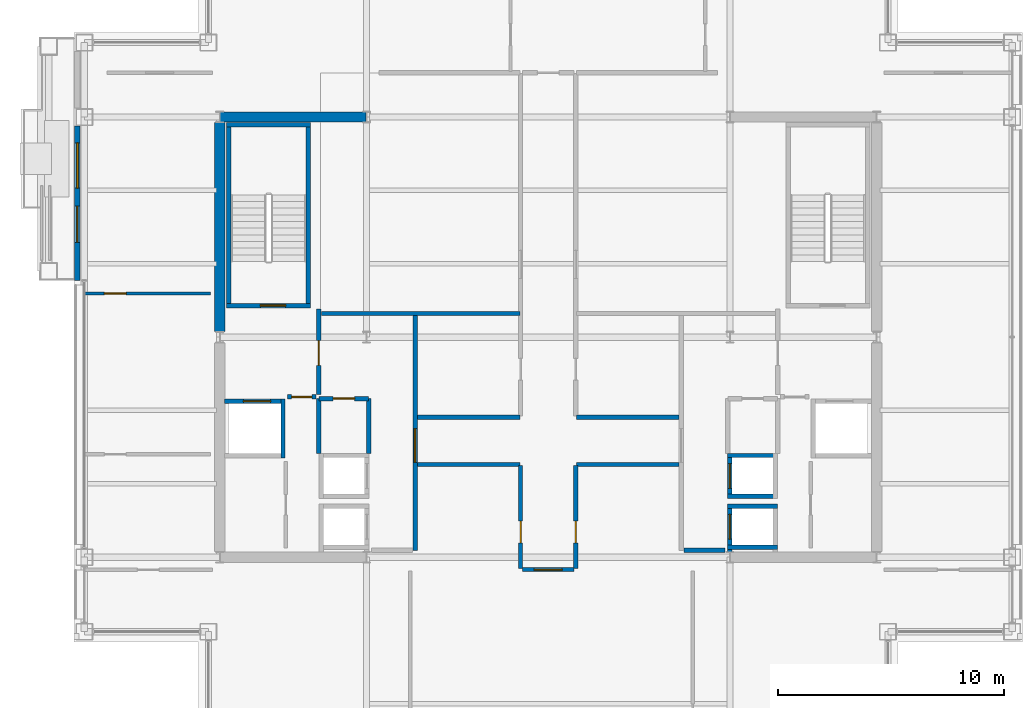
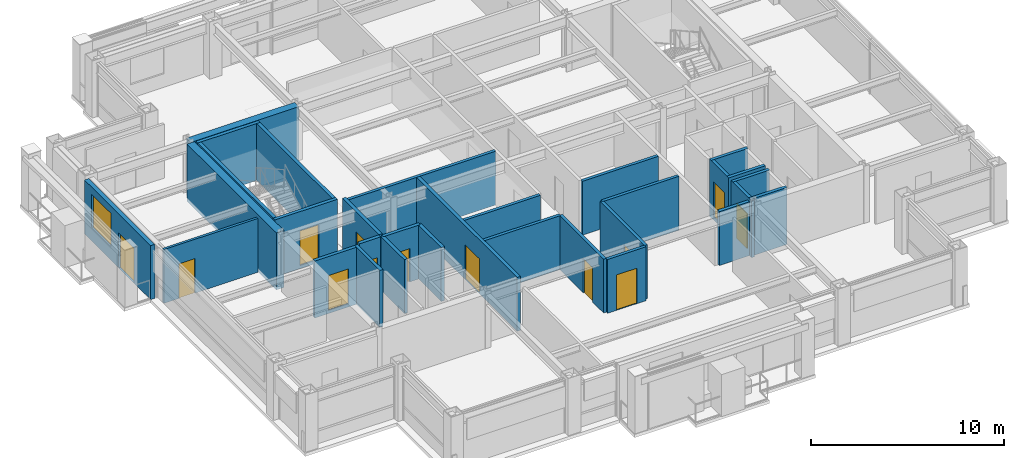
# One storey, part 26 of 31: 31 walls, 13 doors, 1 window, 14 openings.
"""IFC4 building model written with IfcOpenShell, lengths in metres."""

from ifc_helpers import new_model, si_unit, direction, frame, frame_2d, origin, place, context, subcontext, project, spatial, rectangle, extrude, material, layer, layer_set, type_object, element, fill, save


model = new_model("IFC4")

# Units and contexts
model_context = context("Model", 3, precision=1e-05, world=origin(), true_north=direction((0.0, 1.0)))
body_context = subcontext(model_context, "Body", "Model", "MODEL_VIEW")
ifc_project = project(units=[si_unit("LENGTHUNIT", "METRE"), si_unit("AREAUNIT", "SQUARE_METRE"), si_unit("VOLUMEUNIT", "CUBIC_METRE"), si_unit("PLANEANGLEUNIT", "RADIAN"), si_unit("MASSUNIT", "GRAM", prefix="KILO")], contexts=[model_context])

# Site, building, storey
site_placement = place(None, origin())
site = spatial("IfcSite", under=ifc_project, at=site_placement, CompositionType="ELEMENT")
building_placement = place(site_placement, origin())
building = spatial("IfcBuilding", under=site, at=building_placement, Name="Brelmoor Portico Tower", CompositionType="ELEMENT")
storey_placement = place(building_placement, frame((0.0, 0.0, 176.699951171875)))
storey = spatial("IfcBuildingStorey", under=building, at=storey_placement, Name="L46", CompositionType="ELEMENT", Elevation=176.699951171875)

# Walls
ifc_material_1 = material(Name="Concrete C50", Category="concrete")
ifc_layer_1 = layer(ifc_material_1, 0.449951171875)
ifc_layer_set_1 = layer_set([ifc_layer_1], Name="Concrete C50")
wall_type_1 = type_object("IfcWallType", Name="WL-CORE-450", PredefinedType="SHEAR", material=ifc_layer_set_1)
wall_1_placement = place(storey_placement, frame((-14.530029296875, 9.75, -0.199951171875), z_axis=(0.0, 0.0, 1.0), x_axis=(1.0, 0.0, 0.0)))
element("IfcWall", 1, at=wall_1_placement, inside=storey, type_object=wall_type_1, Name="L46 WC North Shear Wall", PredefinedType="SHEAR", context=body_context, shape_type="SweptSolid", body=[
    extrude(rectangle(XDim=6.4599609375, YDim=0.449951171875, at=frame_2d((3.22998046875, 0.0))), origin(), (0.0, 0.0, 1.0), 3.60009765625),
])
wall_2_placement = place(storey_placement, frame((-14.550048828125, 0.25, -0.199951171875), z_axis=(0.0, 0.0, 1.0), x_axis=(0.0, 1.0, 0.0)))
element("IfcWall", 2, at=wall_2_placement, inside=storey, type_object=wall_type_1, Name="L46 WC Outer North Shear Wall", PredefinedType="SHEAR", context=body_context, shape_type="SweptSolid", body=[
    extrude(rectangle(XDim=9.25, YDim=0.449951171875, at=frame_2d((4.625, 0.0))), origin(), (0.0, 0.0, 1.0), 3.60009765625),
])

# Wall, openings, door, window
ifc_material_2 = material(Name="Precast Concrete C40 Insulated Facade Wall", Category="concrete")
ifc_layer_2 = layer(ifc_material_2, 0.25)
ifc_layer_set_2 = layer_set([ifc_layer_2], Name="Precast Concrete C40 Insulated Facade Wall")
wall_type_2 = type_object("IfcWallType", Name="WL-EXT-250", PredefinedType="STANDARD", material=ifc_layer_set_2)
wall_3_placement = place(storey_placement, frame((-20.860107421875, 2.5, 0.0), z_axis=(0.0, 0.0, 1.0), x_axis=(0.0, 1.0, 0.0)))
wall_3 = element("IfcWall", 3, at=wall_3_placement, inside=storey, type_object=wall_type_2, Name="L46 Loggia Threshold Wall W-1", PredefinedType="STANDARD", context=body_context, shape_type="SweptSolid", body=[
    extrude(rectangle(XDim=6.85498046875, YDim=0.25, at=frame_2d((3.427490234375, 0.0))), origin(), (0.0, 0.0, 1.0), 3.400146484375),
])
opening_1_placement = place(wall_3_placement, frame((1.699951171875, 0.0, 0.0)))
opening_1 = element("IfcOpeningElement", 4, at=opening_1_placement, cuts=wall_3, Name="Opening D-TB1", PredefinedType="OPENING", context=body_context, shape_type="SweptSolid", body=[
    extrude(rectangle(XDim=1.60009765625, YDim=2.199951171875, at=frame_2d((0.800048828125, 1.10009765625))), frame((0.0, 0.135009765625, 0.0), z_axis=(0.0, -1.0, 0.0), x_axis=(1.0, 0.0, 0.0)), (0.0, 0.0, 1.0), 0.27001953125),
])
opening_2_placement = place(wall_3_placement, frame((4.10009765625, 0.0, 0.85009765625)))
opening_2 = element("IfcOpeningElement", 5, at=opening_2_placement, cuts=wall_3, Name="Opening W-03", PredefinedType="OPENING", context=body_context, shape_type="SweptSolid", body=[
    extrude(rectangle(XDim=2.0, YDim=2.10009765625, at=frame_2d((1.0, 1.050048828125))), frame((0.0, 0.135009765625, 0.0), z_axis=(0.0, -1.0, 0.0), x_axis=(1.0, 0.0, 0.0)), (0.0, 0.0, 1.0), 0.27001953125),
])
ifc_material_3 = material(Name="Double-Leaf Thermally Broken Terrace Door", Category="aluminium")
door_type_1 = type_object("IfcDoorType", Name="DR-BALCONY-1600", OperationType="NOTDEFINED", PredefinedType="DOOR", material=ifc_material_3)
door_1_placement = place(opening_1_placement, origin())
door_1 = element("IfcDoor", 6, at=door_1_placement, inside=storey, type_object=door_type_1, Name="D-1976 L46 Tree Balcony Double Door W", OperationType="DOUBLE_DOOR_SINGLE_SWING", OverallHeight=2.199951171875, OverallWidth=1.60009765625, PredefinedType="DOOR", context=body_context, shape_type="SweptSolid", body=[
    extrude(rectangle(XDim=1.60009765625, YDim=2.199951171875, at=frame_2d((0.800048828125, 1.10009765625))), frame((0.0, 0.02490234375, 0.0), z_axis=(0.0, -1.0, 0.0), x_axis=(1.0, 0.0, 0.0)), (0.0, 0.0, 1.0), 0.050048828125),
])
fill(opening_1, door_1)
ifc_material_4 = material(Name="Thermally Broken Aluminium Low-E Window", Category="aluminium")
window_type = type_object("IfcWindowType", Name="WN-LOGGIA-2000x2100", PartitioningType="SINGLE_PANEL", PredefinedType="WINDOW", material=ifc_material_4)
window_placement = place(opening_2_placement, origin())
window = element("IfcWindow", 7, at=window_placement, inside=storey, type_object=window_type, Name="L46 Loggia Window W", OverallHeight=2.10009765625, OverallWidth=2.0, PartitioningType="SINGLE_PANEL", PredefinedType="WINDOW", context=body_context, shape_type="SweptSolid", body=[
    extrude(rectangle(XDim=2.0, YDim=2.10009765625, at=frame_2d((1.0, 1.050048828125))), frame((0.0, 0.030029296875, 0.0), z_axis=(0.0, -1.0, 0.0), x_axis=(1.0, 0.0, 0.0)), (0.0, 0.0, 1.0), 0.06005859375),
])
fill(opening_2, window)

# Wall, opening, door
ifc_material_5 = material(Name="Wet-Area Moisture-Resistant Partition", Category="gypsum")
ifc_layer_3 = layer(ifc_material_5, 0.14990234375)
ifc_layer_set_3 = layer_set([ifc_layer_3], Name="Wet-Area Moisture-Resistant Partition")
wall_type_3 = type_object("IfcWallType", Name="WL-PART-150", PredefinedType="PARTITIONING", material=ifc_layer_set_3)
wall_4_placement = place(storey_placement, frame((-20.56005859375, 1.929931640625, 0.0), z_axis=(0.0, 0.0, 1.0), x_axis=(1.0, 0.0, 0.0)))
wall_4 = element("IfcWall", 8, at=wall_4_placement, inside=storey, type_object=wall_type_3, Name="L46 W Wing Partition 2", PredefinedType="PARTITIONING", context=body_context, shape_type="SweptSolid", body=[
    extrude(rectangle(XDim=5.60009765625, YDim=0.14990234375, at=frame_2d((2.800048828125, 0.0))), origin(), (0.0, 0.0, 1.0), 3.400146484375),
])
opening_3_placement = place(wall_4_placement, frame((0.89990234375, 0.0, 0.0)))
opening_3 = element("IfcOpeningElement", 9, at=opening_3_placement, cuts=wall_4, Name="Opening D-IN2", PredefinedType="OPENING", context=body_context, shape_type="SweptSolid", body=[
    extrude(rectangle(XDim=0.9599609375, YDim=2.179931640625, at=frame_2d((0.47998046875, 1.08984375))), frame((0.0, 0.0849609375, 0.0), z_axis=(0.0, -1.0, 0.0), x_axis=(1.0, 0.0, 0.0)), (0.0, 0.0, 1.0), 0.169921875),
])
ifc_material_6 = material(Name="Lacquered Timber Suite Door", Category="wood")
door_type_2 = type_object("IfcDoorType", Name="DR-INT-950", OperationType="NOTDEFINED", PredefinedType="DOOR", material=ifc_material_6)
door_2_placement = place(opening_3_placement, origin())
door_2 = element("IfcDoor", 10, at=door_2_placement, inside=storey, type_object=door_type_2, Name="D-1978 L46 W Wing Suite Connecting Door 2", OperationType="SINGLE_SWING_LEFT", OverallHeight=2.179931640625, OverallWidth=0.9599609375, PredefinedType="DOOR", context=body_context, shape_type="SweptSolid", body=[
    extrude(rectangle(XDim=0.9599609375, YDim=2.179931640625, at=frame_2d((0.47998046875, 1.08984375))), frame((0.0, 0.02490234375, 0.0), z_axis=(0.0, -1.0, 0.0), x_axis=(1.0, 0.0, 0.0)), (0.0, 0.0, 1.0), 0.050048828125),
])
fill(opening_3, door_2)

# Walls
ifc_material_7 = material(Name="Acoustic Corridor Fire Partition", Category="gypsum")
ifc_layer_4 = layer(ifc_material_7, 0.179931640625)
ifc_layer_set_4 = layer_set([ifc_layer_4], Name="Acoustic Corridor Fire Partition")
wall_type_4 = type_object("IfcWallType", Name="WL-PART-180", PredefinedType="PARTITIONING", material=ifc_layer_set_4)
wall_5_placement = place(storey_placement, frame((-10.050048828125, 1.050048828125, 0.0), z_axis=(0.0, 0.0, 1.0), x_axis=(1.0, 0.0, 0.0)))
element("IfcWall", 11, at=wall_5_placement, inside=storey, type_object=wall_type_4, Name="L46 West Reclaimed Suite South Wall", PredefinedType="PARTITIONING", context=body_context, shape_type="SweptSolid", body=[
    extrude(rectangle(XDim=8.7900390625, YDim=0.179931640625, at=frame_2d((4.39501953125, 0.0))), origin(), (0.0, 0.0, 1.0), 3.400146484375),
])
for number, where, z_axis, x_axis, name in (
    (12, (-5.800048828125, -3.550048828125, 0.0), (0.0, 0.0, 1.0), (1.0, 0.0, 0.0), "L46 West Pantry South Wall"),
    (13, (1.260009765625, -3.550048828125, 0.0), (0.0, 0.0, 1.0), (1.0, 0.0, 0.0), "L46 East Office South Wall"),
):
    element("IfcWall", number, at=place(storey_placement, frame(where, z_axis=z_axis, x_axis=x_axis)), inside=storey, type_object=wall_type_4, Name=name, PredefinedType="PARTITIONING", context=body_context, shape_type="SweptSolid", body=[
        extrude(rectangle(XDim=4.5400390625, YDim=0.179931640625, at=frame_2d((2.27001953125, 0.0))), origin(), (0.0, 0.0, 1.0), 3.400146484375),
    ])

# Wall, opening, door
wall_6_placement = place(storey_placement, frame((-1.219970703125, -10.260009765625, 0.0), z_axis=(0.0, 0.0, 1.0), x_axis=(0.0, 1.0, 0.0)))
wall_6 = element("IfcWall", 14, at=wall_6_placement, inside=storey, type_object=wall_type_4, Name="L46 South Cross West Wall", PredefinedType="PARTITIONING", context=body_context, shape_type="SweptSolid", body=[
    extrude(rectangle(XDim=4.580078125, YDim=0.179931640625, at=frame_2d((2.2900390625, 0.0))), origin(), (0.0, 0.0, 1.0), 3.400146484375),
])
opening_4_placement = place(wall_6_placement, frame((1.14990234375, 0.0, 0.0)))
opening_4 = element("IfcOpeningElement", 15, at=opening_4_placement, cuts=wall_6, Name="Opening D-IN2", PredefinedType="OPENING", context=body_context, shape_type="SweptSolid", body=[
    extrude(rectangle(XDim=0.9599609375, YDim=2.179931640625, at=frame_2d((0.47998046875, 1.08984375))), frame((0.0, 0.099853515625, 0.0), z_axis=(0.0, -1.0, 0.0), x_axis=(1.0, 0.0, 0.0)), (0.0, 0.0, 1.0), 0.199951171875),
])
door_3_placement = place(opening_4_placement, origin())
door_3 = element("IfcDoor", 16, at=door_3_placement, inside=storey, type_object=door_type_2, Name="D-1949 L46 South-West Archive Room Door", OperationType="SINGLE_SWING_RIGHT", OverallHeight=2.179931640625, OverallWidth=0.9599609375, PredefinedType="DOOR", context=body_context, shape_type="SweptSolid", body=[
    extrude(rectangle(XDim=0.9599609375, YDim=2.179931640625, at=frame_2d((0.47998046875, 1.08984375))), frame((0.0, 0.02490234375, 0.0), z_axis=(0.0, -1.0, 0.0), x_axis=(1.0, 0.0, 0.0)), (0.0, 0.0, 1.0), 0.050048828125),
])
fill(opening_4, door_3)

wall_7_placement = place(storey_placement, frame((1.219970703125, -10.260009765625, 0.0), z_axis=(0.0, 0.0, 1.0), x_axis=(0.0, 1.0, 0.0)))
wall_7 = element("IfcWall", 17, at=wall_7_placement, inside=storey, type_object=wall_type_4, Name="L46 South Cross East Wall", PredefinedType="PARTITIONING", context=body_context, shape_type="SweptSolid", body=[
    extrude(rectangle(XDim=4.580078125, YDim=0.179931640625, at=frame_2d((2.2900390625, 0.0))), origin(), (0.0, 0.0, 1.0), 3.400146484375),
])
opening_5_placement = place(wall_7_placement, frame((1.14990234375, 0.0, 0.0)))
opening_5 = element("IfcOpeningElement", 18, at=opening_5_placement, cuts=wall_7, Name="Opening D-IN2", PredefinedType="OPENING", context=body_context, shape_type="SweptSolid", body=[
    extrude(rectangle(XDim=0.9599609375, YDim=2.179931640625, at=frame_2d((0.47998046875, 1.08984375))), frame((0.0, 0.099853515625, 0.0), z_axis=(0.0, -1.0, 0.0), x_axis=(1.0, 0.0, 0.0)), (0.0, 0.0, 1.0), 0.199951171875),
])
door_4_placement = place(opening_5_placement, origin())
door_4 = element("IfcDoor", 19, at=door_4_placement, inside=storey, type_object=door_type_2, Name="D-1948 L46 South-East Partner Office Door", OperationType="SINGLE_SWING_LEFT", OverallHeight=2.179931640625, OverallWidth=0.9599609375, PredefinedType="DOOR", context=body_context, shape_type="SweptSolid", body=[
    extrude(rectangle(XDim=0.9599609375, YDim=2.179931640625, at=frame_2d((0.47998046875, 1.08984375))), frame((0.0, 0.02490234375, 0.0), z_axis=(0.0, -1.0, 0.0), x_axis=(1.0, 0.0, 0.0)), (0.0, 0.0, 1.0), 0.050048828125),
])
fill(opening_5, door_4)

# Walls
for number, where, z_axis, x_axis, name in (
    (20, (-5.800048828125, -5.64990234375, 0.0), (0.0, 0.0, 1.0), (1.0, 0.0, 0.0), "L46 South-West Chamber Top Wall"),
    (21, (1.260009765625, -5.64990234375, 0.0), (0.0, 0.0, 1.0), (1.0, 0.0, 0.0), "L46 South-East Chamber Top Wall"),
):
    element("IfcWall", number, at=place(storey_placement, frame(where, z_axis=z_axis, x_axis=x_axis)), inside=storey, type_object=wall_type_4, Name=name, PredefinedType="PARTITIONING", context=body_context, shape_type="SweptSolid", body=[
        extrude(rectangle(XDim=4.5400390625, YDim=0.179931640625, at=frame_2d((2.27001953125, 0.0))), origin(), (0.0, 0.0, 1.0), 3.400146484375),
    ])

# Wall, opening, door
wall_8_placement = place(storey_placement, frame((-1.14990234375, -10.300048828125, 0.0), z_axis=(0.0, 0.0, 1.0), x_axis=(1.0, 0.0, 0.0)))
wall_8 = element("IfcWall", 22, at=wall_8_placement, inside=storey, type_object=wall_type_4, Name="L46 South Corridor Partition", PredefinedType="PARTITIONING", context=body_context, shape_type="SweptSolid", body=[
    extrude(rectangle(XDim=2.2998046875, YDim=0.179931640625, at=frame_2d((1.14990234375, 0.0))), origin(), (0.0, 0.0, 1.0), 3.400146484375),
])
opening_6_placement = place(wall_8_placement, frame((0.530029296875, 0.0, 0.0)))
opening_6 = element("IfcOpeningElement", 23, at=opening_6_placement, cuts=wall_8, Name="Opening D-SU1", PredefinedType="OPENING", context=body_context, shape_type="SweptSolid", body=[
    extrude(rectangle(XDim=1.239990234375, YDim=2.239990234375, at=frame_2d((0.6201171875, 1.1201171875))), frame((0.0, 0.099853515625, 0.0), z_axis=(0.0, -1.0, 0.0), x_axis=(1.0, 0.0, 0.0)), (0.0, 0.0, 1.0), 0.199951171875),
])
ifc_material_8 = material(Name="Glazed Timber Executive Suite Door", Category="wood")
door_type_3 = type_object("IfcDoorType", Name="DR-SUITE-1200", OperationType="NOTDEFINED", PredefinedType="DOOR", material=ifc_material_8)
door_5_placement = place(opening_6_placement, origin())
door_5 = element("IfcDoor", 24, at=door_5_placement, inside=storey, type_object=door_type_3, Name="D-1967 L46 South Cellular Office 2 Door", OperationType="SINGLE_SWING_LEFT", OverallHeight=2.239990234375, OverallWidth=1.239990234375, PredefinedType="DOOR", context=body_context, shape_type="SweptSolid", body=[
    extrude(rectangle(XDim=1.239990234375, YDim=2.239990234375, at=frame_2d((0.6201171875, 1.1201171875))), frame((0.0, 0.02490234375, 0.0), z_axis=(0.0, -1.0, 0.0), x_axis=(1.0, 0.0, 0.0)), (0.0, 0.0, 1.0), 0.050048828125),
])
fill(opening_6, door_5)

ifc_material_9 = material(Name="Double-Stud Gypsum Fire Partition", Category="gypsum")
ifc_layer_5 = layer(ifc_material_9, 0.199951171875)
ifc_layer_set_5 = layer_set([ifc_layer_5], Name="Double-Stud Gypsum Fire Partition")
wall_type_5 = type_object("IfcWallType", Name="WL-PART-200", PredefinedType="PARTITIONING", material=ifc_layer_set_5)
wall_9_placement = place(storey_placement, frame((-5.89990234375, -9.449951171875, 0.0), z_axis=(0.0, 0.0, 1.0), x_axis=(0.0, 1.0, 0.0)))
wall_9 = element("IfcWall", 25, at=wall_9_placement, inside=storey, type_object=wall_type_5, Name="L46 W Core Lobby Compartment Wall", PredefinedType="PARTITIONING", context=body_context, shape_type="SweptSolid", body=[
    extrude(rectangle(XDim=10.5, YDim=0.199951171875, at=frame_2d((5.25, 0.0))), origin(), (0.0, 0.0, 1.0), 3.400146484375),
])
opening_7_placement = place(wall_9_placement, frame((3.89990234375, 0.0, 0.0)))
opening_7 = element("IfcOpeningElement", 26, at=opening_7_placement, cuts=wall_9, Name="Opening D-LB1", PredefinedType="OPENING", context=body_context, shape_type="SweptSolid", body=[
    extrude(rectangle(XDim=1.5, YDim=2.199951171875, at=frame_2d((0.75, 1.10009765625))), frame((0.0, 0.10986328125, 0.0), z_axis=(0.0, -1.0, 0.0), x_axis=(1.0, 0.0, 0.0)), (0.0, 0.0, 1.0), 0.219970703125),
])
ifc_material_10 = material(Name="Double-Leaf Glazed Steel Fire Door", Category="steel")
door_type_4 = type_object("IfcDoorType", Name="DR-LOBBY-1500", OperationType="NOTDEFINED", PredefinedType="DOOR", material=ifc_material_10)
door_6_placement = place(opening_7_placement, origin())
door_6 = element("IfcDoor", 27, at=door_6_placement, inside=storey, type_object=door_type_4, Name="D-1961 L46 W Lift Lobby Main Door", OperationType="DOUBLE_DOOR_SINGLE_SWING", OverallHeight=2.199951171875, OverallWidth=1.5, PredefinedType="DOOR", context=body_context, shape_type="SweptSolid", body=[
    extrude(rectangle(XDim=1.5, YDim=2.199951171875, at=frame_2d((0.75, 1.10009765625))), frame((0.0, 0.02490234375, 0.0), z_axis=(0.0, -1.0, 0.0), x_axis=(1.0, 0.0, 0.0)), (0.0, 0.0, 1.0), 0.050048828125),
])
fill(opening_7, door_6)

wall_10_placement = place(storey_placement, frame((-10.159912109375, -2.550048828125, 0.0), z_axis=(0.0, 0.0, 1.0), x_axis=(0.0, 1.0, 0.0)))
wall_10 = element("IfcWall", 28, at=wall_10_placement, inside=storey, type_object=wall_type_5, Name="L46 W Firefighting Lobby Wall", PredefinedType="PARTITIONING", context=body_context, shape_type="SweptSolid", body=[
    extrude(rectangle(XDim=3.800048828125, YDim=0.199951171875, at=frame_2d((1.89990234375, 0.0))), origin(), (0.0, 0.0, 1.0), 3.400146484375),
])
opening_8_placement = place(wall_10_placement, frame((1.300048828125, 0.0, 0.0)))
opening_8 = element("IfcOpeningElement", 29, at=opening_8_placement, cuts=wall_10, Name="Opening D-FR1", PredefinedType="OPENING", context=body_context, shape_type="SweptSolid", body=[
    extrude(rectangle(XDim=1.10009765625, YDim=2.14990234375, at=frame_2d((0.550048828125, 1.074951171875))), frame((0.0, 0.10986328125, 0.0), z_axis=(0.0, -1.0, 0.0), x_axis=(1.0, 0.0, 0.0)), (0.0, 0.0, 1.0), 0.219970703125),
])
ifc_material_11 = material(Name="Painted Galvanised Steel Fire Door", Category="steel")
door_type_5 = type_object("IfcDoorType", Name="DR-FIRE-1100", OperationType="NOTDEFINED", PredefinedType="DOOR", material=ifc_material_11)
door_7_placement = place(opening_8_placement, origin())
door_7 = element("IfcDoor", 30, at=door_7_placement, inside=storey, type_object=door_type_5, Name="D-1959 L46 W Firefighting Lobby Door", OperationType="SINGLE_SWING_RIGHT", OverallHeight=2.14990234375, OverallWidth=1.10009765625, PredefinedType="DOOR", context=body_context, shape_type="SweptSolid", body=[
    extrude(rectangle(XDim=1.10009765625, YDim=2.14990234375, at=frame_2d((0.550048828125, 1.074951171875))), frame((0.0, 0.02490234375, 0.0), z_axis=(0.0, -1.0, 0.0), x_axis=(1.0, 0.0, 0.0)), (0.0, 0.0, 1.0), 0.050048828125),
])
fill(opening_8, door_7)

wall_11_placement = place(storey_placement, frame((-10.280029296875, -2.64990234375, 0.0), z_axis=(0.0, 0.0, 1.0), x_axis=(-1.0, 0.0, 0.0)))
wall_11 = element("IfcWall", 31, at=wall_11_placement, inside=storey, type_object=wall_type_5, Name="L46 W Firefighting Lobby South Wall", PredefinedType="PARTITIONING", context=body_context, shape_type="SweptSolid", body=[
    extrude(rectangle(XDim=1.27001953125, YDim=0.199951171875, at=frame_2d((0.635009765625, 0.0))), origin(), (0.0, 0.0, 1.0), 3.400146484375),
])
opening_9_placement = place(wall_11_placement, frame((0.18505859375, 0.0, 0.0)))
opening_9 = element("IfcOpeningElement", 32, at=opening_9_placement, cuts=wall_11, Name="Opening D-IN1", PredefinedType="OPENING", context=body_context, shape_type="SweptSolid", body=[
    extrude(rectangle(XDim=0.89990234375, YDim=2.14990234375, at=frame_2d((0.449951171875, 1.074951171875))), frame((0.0, 0.10986328125, 0.0), z_axis=(0.0, -1.0, 0.0), x_axis=(1.0, 0.0, 0.0)), (0.0, 0.0, 1.0), 0.219970703125),
])
door_type_6 = type_object("IfcDoorType", Name="DR-INT-900", OperationType="NOTDEFINED", PredefinedType="DOOR", material=ifc_material_6)
door_8_placement = place(opening_9_placement, origin())
door_8 = element("IfcDoor", 33, at=door_8_placement, inside=storey, type_object=door_type_6, Name="D-1954 L46 W Core Service Vestibule Door", OperationType="SINGLE_SWING_LEFT", OverallHeight=2.14990234375, OverallWidth=0.89990234375, PredefinedType="DOOR", context=body_context, shape_type="SweptSolid", body=[
    extrude(rectangle(XDim=0.89990234375, YDim=2.14990234375, at=frame_2d((0.449951171875, 1.074951171875))), frame((0.0, 0.02490234375, 0.0), z_axis=(0.0, -1.0, 0.0), x_axis=(1.0, 0.0, 0.0)), (0.0, 0.0, 1.0), 0.050048828125),
])
fill(opening_9, door_8)

wall_12_placement = place(storey_placement, frame((-7.9599609375, -2.719970703125, 0.0), z_axis=(0.0, 0.0, 1.0), x_axis=(-1.0, 0.0, 0.0)))
wall_12 = element("IfcWall", 34, at=wall_12_placement, inside=storey, type_object=wall_type_5, Name="L46 W Electrical Switchgear Closet Wall", PredefinedType="PARTITIONING", context=body_context, shape_type="SweptSolid", body=[
    extrude(rectangle(XDim=2.199951171875, YDim=0.199951171875, at=frame_2d((1.10009765625, 0.0))), origin(), (0.0, 0.0, 1.0), 3.400146484375),
])
opening_10_placement = place(wall_12_placement, frame((0.6201171875, 0.0, 0.0)))
opening_10 = element("IfcOpeningElement", 35, at=opening_10_placement, cuts=wall_12, Name="Opening D-FR4", PredefinedType="OPENING", context=body_context, shape_type="SweptSolid", body=[
    extrude(rectangle(XDim=0.949951171875, YDim=2.10009765625, at=frame_2d((0.47509765625, 1.050048828125))), frame((0.0, 0.10986328125, 0.0), z_axis=(0.0, -1.0, 0.0), x_axis=(1.0, 0.0, 0.0)), (0.0, 0.0, 1.0), 0.219970703125),
])
ifc_material_12 = material(Name="Painted Galvanised Steel Riser Door", Category="steel")
door_type_7 = type_object("IfcDoorType", Name="DR-FIRE-950", OperationType="NOTDEFINED", PredefinedType="DOOR", material=ifc_material_12)
door_9_placement = place(opening_10_placement, origin())
door_9 = element("IfcDoor", 36, at=door_9_placement, inside=storey, type_object=door_type_7, Name="D-1957 L46 W Electrical Switchgear Closet Door", OperationType="SINGLE_SWING_RIGHT", OverallHeight=2.10009765625, OverallWidth=0.949951171875, PredefinedType="DOOR", context=body_context, shape_type="SweptSolid", body=[
    extrude(rectangle(XDim=0.949951171875, YDim=2.10009765625, at=frame_2d((0.47509765625, 1.050048828125))), frame((0.0, 0.02490234375, 0.0), z_axis=(0.0, -1.0, 0.0), x_axis=(1.0, 0.0, 0.0)), (0.0, 0.0, 1.0), 0.050048828125),
])
fill(opening_10, door_9)

# Walls
for number, where, z_axis, x_axis, name in (
    (37, (-7.9599609375, -5.159912109375, 0.0), (0.0, 0.0, 1.0), (0.0, 1.0, 0.0), "L46 W Electrical Switchgear Closet Inner Wall"),
    (38, (-10.159912109375, -5.159912109375, 0.0), (0.0, 0.0, 1.0), (0.0, 1.0, 0.0), "L46 W Electrical Switchgear Closet Outer Wall"),
):
    element("IfcWall", number, at=place(storey_placement, frame(where, z_axis=z_axis, x_axis=x_axis)), inside=storey, type_object=wall_type_5, Name=name, PredefinedType="PARTITIONING", context=body_context, shape_type="SweptSolid", body=[
        extrude(rectangle(XDim=2.43994140625, YDim=0.199951171875, at=frame_2d((1.219970703125, 0.0))), origin(), (0.0, 0.0, 1.0), 3.400146484375),
    ])
wall_13_placement = place(storey_placement, frame((6.02001953125, -9.449951171875, 0.0), z_axis=(0.0, 0.0, 1.0), x_axis=(1.0, 0.0, 0.0)))
element("IfcWall", 39, at=wall_13_placement, inside=storey, type_object=wall_type_5, Name="L46 E Lift Lobby South End Wall", PredefinedType="PARTITIONING", context=body_context, shape_type="SweptSolid", body=[
    extrude(rectangle(XDim=1.800048828125, YDim=0.199951171875, at=frame_2d((0.89990234375, 0.0))), origin(), (0.0, 0.0, 1.0), 3.400146484375),
])

# Wall, opening, door
ifc_material_13 = material(Name="Precast Concrete C40", Category="concrete")
ifc_layer_6 = layer(ifc_material_13, 0.18994140625)
ifc_layer_set_6 = layer_set([ifc_layer_6], Name="Precast Concrete C40")
wall_type_6 = type_object("IfcWallType", Name="WL-SHAFT-180", PredefinedType="SOLIDWALL", material=ifc_layer_set_6)
wall_14_placement = place(storey_placement, frame((8.044921875, -9.52001953125, -0.199951171875), z_axis=(0.0, 0.0, 1.0), x_axis=(0.0, 1.0, 0.0)))
wall_14 = element("IfcWall", 40, at=wall_14_placement, inside=storey, type_object=wall_type_6, Name="L46 Lift PH3 Hoistway Front Wall", PredefinedType="SOLIDWALL", context=body_context, shape_type="SweptSolid", body=[
    extrude(rectangle(XDim=2.1201171875, YDim=0.18994140625, at=frame_2d((1.06005859375, 0.0))), origin(), (0.0, 0.0, 1.0), 3.60009765625),
])
opening_11_placement = place(wall_14_placement, frame((0.570068359375, 0.0, 0.199951171875)))
opening_11 = element("IfcOpeningElement", 41, at=opening_11_placement, cuts=wall_14, Name="Opening LD-01", PredefinedType="OPENING", context=body_context, shape_type="SweptSolid", body=[
    extrude(rectangle(XDim=1.10009765625, YDim=2.199951171875, at=frame_2d((0.550048828125, 1.10009765625))), frame((0.0, 0.10498046875, 0.0), z_axis=(0.0, -1.0, 0.0), x_axis=(1.0, 0.0, 0.0)), (0.0, 0.0, 1.0), 0.2099609375),
])
ifc_material_14 = material(Name="Brushed Stainless Steel Sliding Lift Door", Category="steel")
door_type_8 = type_object("IfcDoorType", Name="DR-LIFT-1100", OperationType="NOTDEFINED", PredefinedType="DOOR", material=ifc_material_14)
door_10_placement = place(opening_11_placement, origin())
door_10 = element("IfcDoor", 42, at=door_10_placement, inside=storey, type_object=door_type_8, Name="D-1983 L46 Lift PH3 Sliding Landing Door", OperationType="SLIDING_TO_LEFT", OverallHeight=2.199951171875, OverallWidth=1.10009765625, PredefinedType="DOOR", context=body_context, shape_type="SweptSolid", body=[
    extrude(rectangle(XDim=1.10009765625, YDim=2.199951171875, at=frame_2d((0.550048828125, 1.10009765625))), frame((0.0, 0.02490234375, 0.0), z_axis=(0.0, -1.0, 0.0), x_axis=(1.0, 0.0, 0.0)), (0.0, 0.0, 1.0), 0.050048828125),
])
fill(opening_11, door_10)

# Walls
for number, where, z_axis, x_axis, name in (
    (43, (7.949951171875, -7.4951171875, -0.199951171875), (0.0, 0.0, 1.0), (1.0, 0.0, 0.0), "L46 Lift PH3 Hoistway North Wall"),
    (44, (7.949951171875, -9.304931640625, -0.199951171875), (0.0, 0.0, 1.0), (1.0, 0.0, 0.0), "L46 Lift PH3 Hoistway South Wall"),
):
    element("IfcWall", number, at=place(storey_placement, frame(where, z_axis=z_axis, x_axis=x_axis)), inside=storey, type_object=wall_type_6, Name=name, PredefinedType="SOLIDWALL", context=body_context, shape_type="SweptSolid", body=[
        extrude(rectangle(XDim=2.199951171875, YDim=0.18994140625, at=frame_2d((1.10009765625, 0.0))), origin(), (0.0, 0.0, 1.0), 3.60009765625),
    ])

# Wall, opening, door
wall_15_placement = place(storey_placement, frame((8.044921875, -7.14990234375, -0.199951171875), z_axis=(0.0, 0.0, 1.0), x_axis=(0.0, 1.0, 0.0)))
wall_15 = element("IfcWall", 45, at=wall_15_placement, inside=storey, type_object=wall_type_6, Name="L46 Lift PH4 Hoistway Front Wall", PredefinedType="SOLIDWALL", context=body_context, shape_type="SweptSolid", body=[
    extrude(rectangle(XDim=2.0, YDim=0.18994140625, at=frame_2d((1.0, 0.0))), origin(), (0.0, 0.0, 1.0), 3.60009765625),
])
opening_12_placement = place(wall_15_placement, frame((0.449951171875, 0.0, 0.199951171875)))
opening_12 = element("IfcOpeningElement", 46, at=opening_12_placement, cuts=wall_15, Name="Opening LD-01", PredefinedType="OPENING", context=body_context, shape_type="SweptSolid", body=[
    extrude(rectangle(XDim=1.10009765625, YDim=2.199951171875, at=frame_2d((0.550048828125, 1.10009765625))), frame((0.0, 0.10498046875, 0.0), z_axis=(0.0, -1.0, 0.0), x_axis=(1.0, 0.0, 0.0)), (0.0, 0.0, 1.0), 0.2099609375),
])
door_11_placement = place(opening_12_placement, origin())
door_11 = element("IfcDoor", 47, at=door_11_placement, inside=storey, type_object=door_type_8, Name="D-1984 L46 Lift PH4 Sliding Landing Door", OperationType="SLIDING_TO_LEFT", OverallHeight=2.199951171875, OverallWidth=1.10009765625, PredefinedType="DOOR", context=body_context, shape_type="SweptSolid", body=[
    extrude(rectangle(XDim=1.10009765625, YDim=2.199951171875, at=frame_2d((0.550048828125, 1.10009765625))), frame((0.0, 0.02490234375, 0.0), z_axis=(0.0, -1.0, 0.0), x_axis=(1.0, 0.0, 0.0)), (0.0, 0.0, 1.0), 0.050048828125),
])
fill(opening_12, door_11)

# Walls
for number, where, z_axis, x_axis, name in (
    (48, (7.949951171875, -5.2451171875, -0.199951171875), (0.0, 0.0, 1.0), (1.0, 0.0, 0.0), "L46 Lift PH4 Hoistway North Wall"),
    (49, (7.949951171875, -7.054931640625, -0.199951171875), (0.0, 0.0, 1.0), (1.0, 0.0, 0.0), "L46 Lift PH4 Hoistway South Wall"),
):
    element("IfcWall", number, at=place(storey_placement, frame(where, z_axis=z_axis, x_axis=x_axis)), inside=storey, type_object=wall_type_6, Name=name, PredefinedType="SOLIDWALL", context=body_context, shape_type="SweptSolid", body=[
        extrude(rectangle(XDim=2.199951171875, YDim=0.18994140625, at=frame_2d((1.10009765625, 0.0))), origin(), (0.0, 0.0, 1.0), 3.60009765625),
    ])

# Wall, opening, door
wall_16_placement = place(storey_placement, frame((-14.330078125, -2.844970703125, -0.199951171875), z_axis=(0.0, 0.0, 1.0), x_axis=(1.0, 0.0, 0.0)))
wall_16 = element("IfcWall", 50, at=wall_16_placement, inside=storey, type_object=wall_type_6, Name="L46 Lift FF1 Hoistway Front Wall", PredefinedType="SOLIDWALL", context=body_context, shape_type="SweptSolid", body=[
    extrude(rectangle(XDim=2.68017578125, YDim=0.18994140625, at=frame_2d((1.340087890625, 0.0))), origin(), (0.0, 0.0, 1.0), 3.60009765625),
])
opening_13_placement = place(wall_16_placement, frame((0.830078125, 0.0, 0.199951171875)))
opening_13 = element("IfcOpeningElement", 51, at=opening_13_placement, cuts=wall_16, Name="Opening LD-02", PredefinedType="OPENING", context=body_context, shape_type="SweptSolid", body=[
    extrude(rectangle(XDim=1.199951171875, YDim=2.199951171875, at=frame_2d((0.60009765625, 1.10009765625))), frame((0.0, 0.10498046875, 0.0), z_axis=(0.0, -1.0, 0.0), x_axis=(1.0, 0.0, 0.0)), (0.0, 0.0, 1.0), 0.2099609375),
])
ifc_material_15 = material(Name="Brushed Stainless Steel Firefighting Lift Door", Category="steel")
door_type_9 = type_object("IfcDoorType", Name="DR-LIFT-1200", OperationType="NOTDEFINED", PredefinedType="DOOR", material=ifc_material_15)
door_12_placement = place(opening_13_placement, origin())
door_12 = element("IfcDoor", 52, at=door_12_placement, inside=storey, type_object=door_type_9, Name="D-1979 L46 Lift FF1 Sliding Landing Door", OperationType="SLIDING_TO_LEFT", OverallHeight=2.199951171875, OverallWidth=1.199951171875, PredefinedType="DOOR", context=body_context, shape_type="SweptSolid", body=[
    extrude(rectangle(XDim=1.199951171875, YDim=2.199951171875, at=frame_2d((0.60009765625, 1.10009765625))), frame((0.0, 0.02490234375, 0.0), z_axis=(0.0, -1.0, 0.0), x_axis=(1.0, 0.0, 0.0)), (0.0, 0.0, 1.0), 0.050048828125),
])
fill(opening_13, door_12)

# Walls
wall_17_placement = place(storey_placement, frame((-11.7451171875, -5.35009765625, -0.199951171875), z_axis=(0.0, 0.0, 1.0), x_axis=(0.0, 1.0, 0.0)))
element("IfcWall", 53, at=wall_17_placement, inside=storey, type_object=wall_type_6, Name="L46 Firefighting Lift FF1 Inner Wall", PredefinedType="SOLIDWALL", context=body_context, shape_type="SweptSolid", body=[
    extrude(rectangle(XDim=2.60009765625, YDim=0.18994140625, at=frame_2d((1.300048828125, 0.0))), origin(), (0.0, 0.0, 1.0), 3.60009765625),
])
ifc_material_16 = material(Name="Concrete C40", Category="concrete")
ifc_layer_7 = layer(ifc_material_16, 0.199951171875)
ifc_layer_set_7 = layer_set([ifc_layer_7], Name="Concrete C40")
wall_type_7 = type_object("IfcWallType", Name="WL-SHAFT-RC200", PredefinedType="SOLIDWALL", material=ifc_layer_set_7)
wall_18_placement = place(storey_placement, frame((-14.14990234375, 1.5, -0.199951171875), z_axis=(0.0, 0.0, 1.0), x_axis=(0.0, 1.0, 0.0)))
element("IfcWall", 54, at=wall_18_placement, inside=storey, type_object=wall_type_7, Name="L46 ST-W Structural Stair Wall Outer", PredefinedType="SOLIDWALL", context=body_context, shape_type="SweptSolid", body=[
    extrude(rectangle(XDim=7.800048828125, YDim=0.199951171875, at=frame_2d((3.89990234375, 0.0))), origin(), (0.0, 0.0, 1.0), 3.60009765625),
])

# Wall, opening, door
wall_19_placement = place(storey_placement, frame((-14.25, 1.39990234375, -0.199951171875), z_axis=(0.0, 0.0, 1.0), x_axis=(1.0, 0.0, 0.0)))
wall_19 = element("IfcWall", 55, at=wall_19_placement, inside=storey, type_object=wall_type_7, Name="L46 ST-W Structural Stair Wall S", PredefinedType="SOLIDWALL", context=body_context, shape_type="SweptSolid", body=[
    extrude(rectangle(XDim=3.719970703125, YDim=0.199951171875, at=frame_2d((1.85986328125, 0.0))), origin(), (0.0, 0.0, 1.0), 3.60009765625),
])
opening_14_placement = place(wall_19_placement, frame((1.5, 0.0, 0.199951171875)))
opening_14 = element("IfcOpeningElement", 56, at=opening_14_placement, cuts=wall_19, Name="Opening D-ST1", PredefinedType="OPENING", context=body_context, shape_type="SweptSolid", body=[
    extrude(rectangle(XDim=1.1201171875, YDim=2.179931640625, at=frame_2d((0.56005859375, 1.08984375))), frame((0.0, 0.10986328125, 0.0), z_axis=(0.0, -1.0, 0.0), x_axis=(1.0, 0.0, 0.0)), (0.0, 0.0, 1.0), 0.219970703125),
])
door_type_10 = type_object("IfcDoorType", Name="DR-STAIR-1100", OperationType="NOTDEFINED", PredefinedType="DOOR", material=ifc_material_11)
door_13_placement = place(opening_14_placement, origin())
door_13 = element("IfcDoor", 57, at=door_13_placement, inside=storey, type_object=door_type_10, Name="D-1971 L46 ST-W Protected Exit Stair Door", OperationType="SINGLE_SWING_LEFT", OverallHeight=2.179931640625, OverallWidth=1.1201171875, PredefinedType="DOOR", context=body_context, shape_type="SweptSolid", body=[
    extrude(rectangle(XDim=1.1201171875, YDim=2.179931640625, at=frame_2d((0.56005859375, 1.08984375))), frame((0.0, 0.02490234375, 0.0), z_axis=(0.0, -1.0, 0.0), x_axis=(1.0, 0.0, 0.0)), (0.0, 0.0, 1.0), 0.050048828125),
])
fill(opening_14, door_13)

# Walls
wall_20_placement = place(storey_placement, frame((-14.25, 9.39990234375, -0.199951171875), z_axis=(0.0, 0.0, 1.0), x_axis=(1.0, 0.0, 0.0)))
element("IfcWall", 58, at=wall_20_placement, inside=storey, type_object=wall_type_7, Name="L46 ST-W Structural Stair Wall N", PredefinedType="SOLIDWALL", context=body_context, shape_type="SweptSolid", body=[
    extrude(rectangle(XDim=3.719970703125, YDim=0.199951171875, at=frame_2d((1.85986328125, 0.0))), origin(), (0.0, 0.0, 1.0), 3.60009765625),
])
wall_21_placement = place(storey_placement, frame((-10.6298828125, 1.5, -0.199951171875), z_axis=(0.0, 0.0, 1.0), x_axis=(0.0, 1.0, 0.0)))
element("IfcWall", 59, at=wall_21_placement, inside=storey, type_object=wall_type_7, Name="L46 ST-W Structural Stair Wall Inner", PredefinedType="SOLIDWALL", context=body_context, shape_type="SweptSolid", body=[
    extrude(rectangle(XDim=7.800048828125, YDim=0.199951171875, at=frame_2d((3.89990234375, 0.0))), origin(), (0.0, 0.0, 1.0), 3.60009765625),
])

save(model, "model.ifc")
